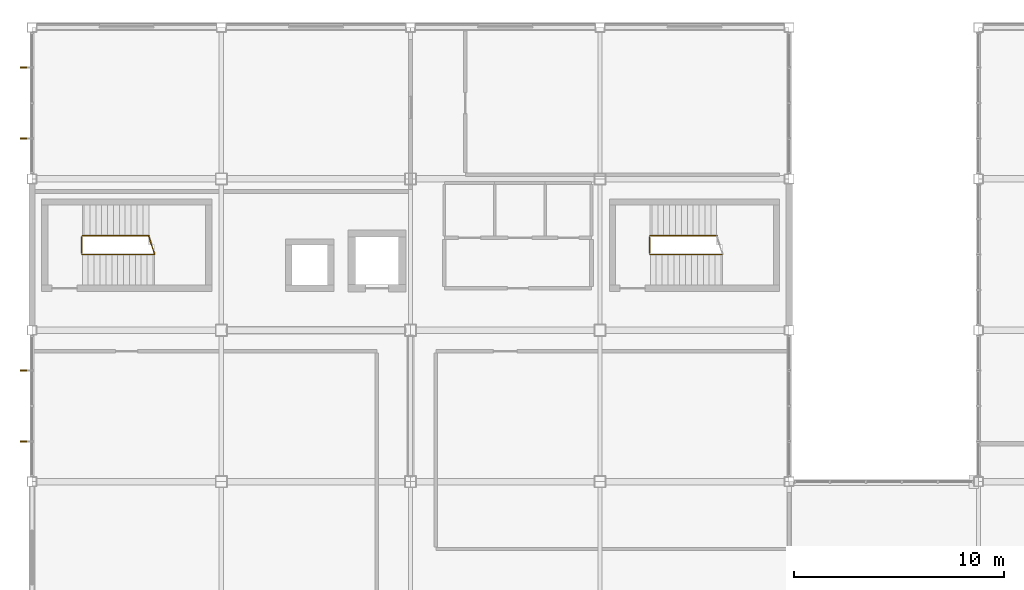
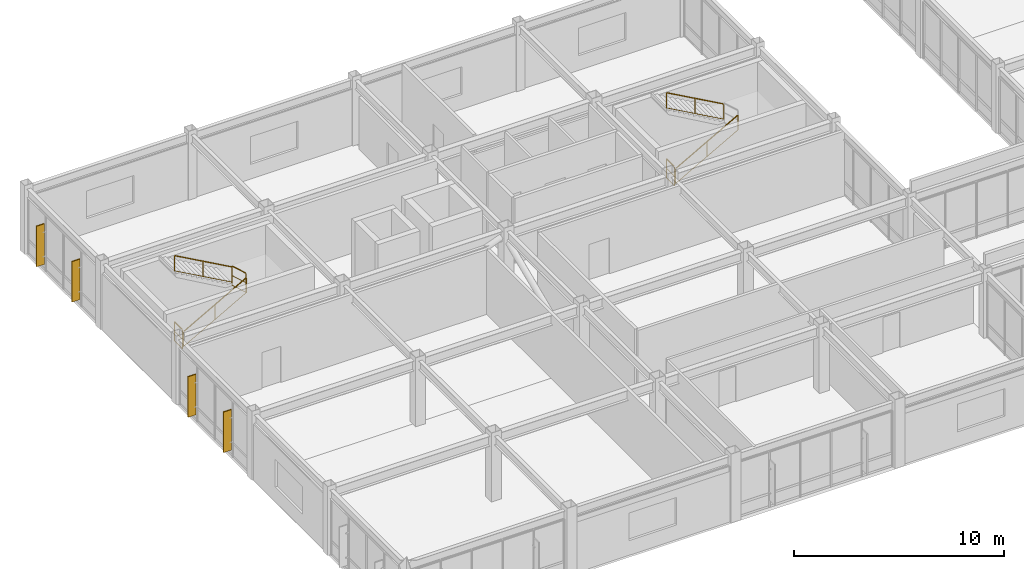
# One storey, part 119 of 122: 7 railings, 4 shading devices.
"""IFC4 building model written with IfcOpenShell, lengths in metres."""

from ifc_helpers import new_model, si_unit, direction, frame, origin, origin_2d, place, context, subcontext, project, spatial, rectangle, extrude, material, type_object, element, save


model = new_model("IFC4")

# Units and contexts
model_context = context("Model", 3, precision=1e-05, world=origin(), true_north=direction((0.0, 1.0)))
body_context = subcontext(model_context, "Body", "Model", "MODEL_VIEW")
ifc_project = project(units=[si_unit("LENGTHUNIT", "METRE"), si_unit("AREAUNIT", "SQUARE_METRE"), si_unit("VOLUMEUNIT", "CUBIC_METRE"), si_unit("PLANEANGLEUNIT", "RADIAN"), si_unit("MASSUNIT", "GRAM", prefix="KILO")], contexts=[model_context])

# Site, building, storey
site_placement = place(None, origin())
site = spatial("IfcSite", under=ifc_project, at=site_placement, CompositionType="ELEMENT")
building_placement = place(site_placement, origin())
building = spatial("IfcBuilding", under=site, at=building_placement, Name="Kazanami Central Library", CompositionType="ELEMENT")
storey_placement = place(building_placement, frame((0.0, 0.0, 4.800048828125)))
storey = spatial("IfcBuildingStorey", under=building, at=storey_placement, Name="L02", CompositionType="ELEMENT", Elevation=4.800048828125)

# Railings
ifc_material_1 = material(Name="Stainless Steel SUS304", Category="steel")
railing_type_1 = type_object("IfcRailingType", Name="RAL-GR-S1", PredefinedType="GUARDRAIL", material=ifc_material_1)
railing_1_placement = place(storey_placement, frame((2.360107421875, 82.8701171875, 0.0)))
element("IfcRailing", 1, at=railing_1_placement, inside=storey, type_object=railing_type_1, Name="Stair Well Guard ST-05 L02", PredefinedType="GUARDRAIL", context=body_context, shape_type="SweptSolid", body=[
    extrude(rectangle(XDim=0.0439453125, YDim=0.0439453125, at=origin_2d()), frame((0.0, 0.02587890625, 1.1279296875), z_axis=(0.0, 1.0, 0.0), x_axis=(-1.0, 0.0, 0.0)), (0.0, 0.0, 1.0), 0.707763671875),
    extrude(rectangle(XDim=0.02392578125, YDim=0.02392578125, at=origin_2d()), frame((0.0, 0.02587890625, 0.015869140625), z_axis=(0.0, 1.0, 0.0), x_axis=(-1.0, 0.0, 0.0)), (0.0, 0.0, 1.0), 0.707763671875),
    extrude(rectangle(XDim=0.02392578125, YDim=0.02392578125, at=origin_2d()), frame((0.0, 0.02587890625, 0.574951171875), z_axis=(0.0, 1.0, 0.0), x_axis=(-1.0, 0.0, 0.0)), (0.0, 0.0, 1.0), 0.707763671875),
    extrude(rectangle(XDim=0.035888671875, YDim=0.035888671875, at=origin_2d()), origin(), (0.0, 0.0, 1.0), 1.10205078125),
    extrude(rectangle(XDim=0.035888671875, YDim=0.035888671875, at=origin_2d()), frame((0.0, 0.759765625, 0.0)), (0.0, 0.0, 1.0), 1.10205078125),
])
railing_2_placement = place(storey_placement, frame((5.827880859375, 82.820068359375, 2.079833984375)))
element("IfcRailing", 2, at=railing_2_placement, inside=storey, type_object=railing_type_1, Name="Half-Landing Well Guard ST-05 L02", PredefinedType="GUARDRAIL", context=body_context, shape_type="SweptSolid", body=[
    extrude(rectangle(XDim=0.0439453125, YDim=0.0439453125, at=origin_2d()), frame((-0.008056640625, 0.024658203125, 1.1279296875), z_axis=(-0.309415726998, 0.950926867791, 0.0), x_axis=(-0.950926867791, -0.309415726998, 0.0)), (0.0, 0.0, 1.0), 0.852294921875),
    extrude(rectangle(XDim=0.02392578125, YDim=0.02392578125, at=origin_2d()), frame((-0.008056640625, 0.024658203125, 0.015869140625), z_axis=(-0.309415726998, 0.950926867791, 0.0), x_axis=(-0.950926867791, -0.309415726998, 0.0)), (0.0, 0.0, 1.0), 0.852294921875),
    extrude(rectangle(XDim=0.02392578125, YDim=0.02392578125, at=origin_2d()), frame((-0.008056640625, 0.024658203125, 0.574951171875), z_axis=(-0.309415726998, 0.950926867791, 0.0), x_axis=(-0.950926867791, -0.309415726998, 0.0)), (0.0, 0.0, 1.0), 0.852294921875),
    extrude(rectangle(XDim=0.035888671875, YDim=0.035888671875, at=origin_2d()), origin(), (0.0, 0.0, 1.0), 1.10205078125),
    extrude(rectangle(XDim=0.035888671875, YDim=0.035888671875, at=origin_2d()), frame((-0.27978515625, 0.85986328125, 0.0)), (0.0, 0.0, 1.0), 1.10205078125),
])
railing_3_placement = place(storey_placement, frame((29.360107421875, 82.8701171875, 0.0)))
element("IfcRailing", 3, at=railing_3_placement, inside=storey, type_object=railing_type_1, Name="Stair Well Guard ST-06 L02", PredefinedType="GUARDRAIL", context=body_context, shape_type="SweptSolid", body=[
    extrude(rectangle(XDim=0.0439453125, YDim=0.0439453125, at=origin_2d()), frame((0.0, 0.02587890625, 1.1279296875), z_axis=(0.0, 1.0, 0.0), x_axis=(-1.0, 0.0, 0.0)), (0.0, 0.0, 1.0), 0.707763671875),
    extrude(rectangle(XDim=0.02392578125, YDim=0.02392578125, at=origin_2d()), frame((0.0, 0.02587890625, 0.015869140625), z_axis=(0.0, 1.0, 0.0), x_axis=(-1.0, 0.0, 0.0)), (0.0, 0.0, 1.0), 0.707763671875),
    extrude(rectangle(XDim=0.02392578125, YDim=0.02392578125, at=origin_2d()), frame((0.0, 0.02587890625, 0.574951171875), z_axis=(0.0, 1.0, 0.0), x_axis=(-1.0, 0.0, 0.0)), (0.0, 0.0, 1.0), 0.707763671875),
    extrude(rectangle(XDim=0.035888671875, YDim=0.035888671875, at=origin_2d()), origin(), (0.0, 0.0, 1.0), 1.10205078125),
    extrude(rectangle(XDim=0.035888671875, YDim=0.035888671875, at=origin_2d()), frame((0.0, 0.759765625, 0.0)), (0.0, 0.0, 1.0), 1.10205078125),
])
railing_type_2 = type_object("IfcRailingType", Name="RAL-HR-01", PredefinedType="HANDRAIL", material=ifc_material_1)
for number, where, name in (
    (4, (2.39404296875, 82.800048828125, 0.159912109375), "Stair Handrail ST-05 Flight 1 (L02)"),
    (5, (29.39404296875, 82.800048828125, 0.159912109375), "Stair Handrail ST-06 Flight 1 (L02)"),
):
    element("IfcRailing", number, at=place(storey_placement, frame(where)), inside=storey, type_object=railing_type_2, Name=name, PredefinedType="HANDRAIL", context=body_context, shape_type="SweptSolid", body=[
        extrude(rectangle(XDim=0.0439453125, YDim=0.0439453125, at=origin_2d()), frame((0.022705078125, 0.0, 0.890625), z_axis=(0.872833868075, 0.0, 0.488017457415), x_axis=(0.0, 1.0, 0.0)), (0.0, 0.0, 1.0), 3.882080078125),
        extrude(rectangle(XDim=0.02392578125, YDim=0.02392578125, at=origin_2d()), frame((0.022705078125, 0.0, 0.028564453125), z_axis=(0.872833868075, 0.0, 0.488017457415), x_axis=(0.0, 1.0, 0.0)), (0.0, 0.0, 1.0), 3.882080078125),
        extrude(rectangle(XDim=0.035888671875, YDim=0.035888671875, at=origin_2d()), origin(), (0.0, 0.0, 1.0), 0.85205078125),
        extrude(rectangle(XDim=0.035888671875, YDim=0.035888671875, at=origin_2d()), frame((1.716796875, 0.0, 0.9599609375)), (0.0, 0.0, 1.0), 0.85205078125),
        extrude(rectangle(XDim=0.035888671875, YDim=0.035888671875, at=origin_2d()), frame((3.433837890625, 0.0, 1.919921875)), (0.0, 0.0, 1.0), 0.85205078125),
    ])
railing_type_3 = type_object("IfcRailingType", Name="RAL-HR-02", PredefinedType="HANDRAIL", material=ifc_material_1)
for number, where, name in (
    (6, (5.553955078125, 83.699951171875, 2.239990234375), "Stair Handrail ST-05 Flight 2 (L02)"),
    (7, (32.553955078125, 83.699951171875, 2.239990234375), "Stair Handrail ST-06 Flight 2 (L02)"),
):
    element("IfcRailing", number, at=place(storey_placement, frame(where)), inside=storey, type_object=railing_type_3, Name=name, PredefinedType="HANDRAIL", context=body_context, shape_type="SweptSolid", body=[
        extrude(rectangle(XDim=0.0439453125, YDim=0.0439453125, at=origin_2d()), frame((-0.022705078125, 0.0, 0.91064453125), z_axis=(-0.873243856975, 0.0, 0.487283455758), x_axis=(0.0, -1.0, 0.0)), (0.0, 0.0, 1.0), 3.559814453125),
        extrude(rectangle(XDim=0.02392578125, YDim=0.02392578125, at=origin_2d()), frame((-0.022705078125, 0.0, 0.028564453125), z_axis=(-0.873243856975, 0.0, 0.487283455758), x_axis=(0.0, -1.0, 0.0)), (0.0, 0.0, 1.0), 3.559814453125),
        extrude(rectangle(XDim=0.035888671875, YDim=0.035888671875, at=origin_2d()), origin(), (0.0, 0.0, 1.0), 0.8720703125),
        extrude(rectangle(XDim=0.035888671875, YDim=0.035888671875, at=origin_2d()), frame((-1.5771484375, 0.0, 0.8798828125)), (0.0, 0.0, 1.0), 0.8720703125),
        extrude(rectangle(XDim=0.035888671875, YDim=0.035888671875, at=origin_2d()), frame((-3.154052734375, 0.0, 1.760009765625)), (0.0, 0.0, 1.0), 0.8720703125),
    ])

# Shading devices
ifc_material_2 = material(Name="Anodised Bronze-Grey Aluminium A6063-T5", Category="aluminium")
shading_device_type = type_object("IfcShadingDeviceType", Name="SHD-FIN-3", PredefinedType="USERDEFINED", material=ifc_material_2)
for number, where, z_axis, x_axis, name in (
    (8, (-0.344970703125, 73.91259765625, 0.452392578125), (0.0, 0.0, 1.0), (0.0, 1.0, 0.0), "Vertical Solar Fin SF-03 L02 W-1-10.1"),
    (9, (-0.344970703125, 77.28759765625, 0.452392578125), (0.0, 0.0, 1.0), (0.0, 1.0, 0.0), "Vertical Solar Fin SF-03 L02 W-1-10.2"),
    (10, (-0.344970703125, 88.3125, 0.452392578125), (0.0, 0.0, 1.0), (0.0, 1.0, 0.0), "Vertical Solar Fin SF-03 L02 W-1-12.1"),
    (11, (-0.344970703125, 91.6875, 0.452392578125), (0.0, 0.0, 1.0), (0.0, 1.0, 0.0), "Vertical Solar Fin SF-03 L02 W-1-12.2"),
):
    element("IfcShadingDevice", number, at=place(storey_placement, frame(where, z_axis=z_axis, x_axis=x_axis)), inside=storey, type_object=shading_device_type, Name=name, ObjectType="SOLAR FIN", PredefinedType="USERDEFINED", context=body_context, shape_type="SweptSolid", body=[
        extrude(rectangle(XDim=0.06494140625, YDim=0.449951171875, at=origin_2d()), origin(), (0.0, 0.0, 1.0), 2.35009765625),
    ])

save(model, "model.ifc")
